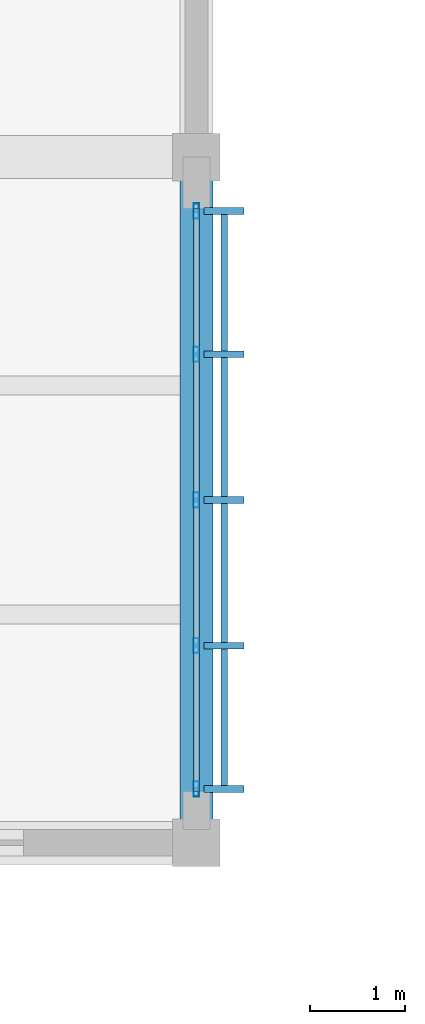
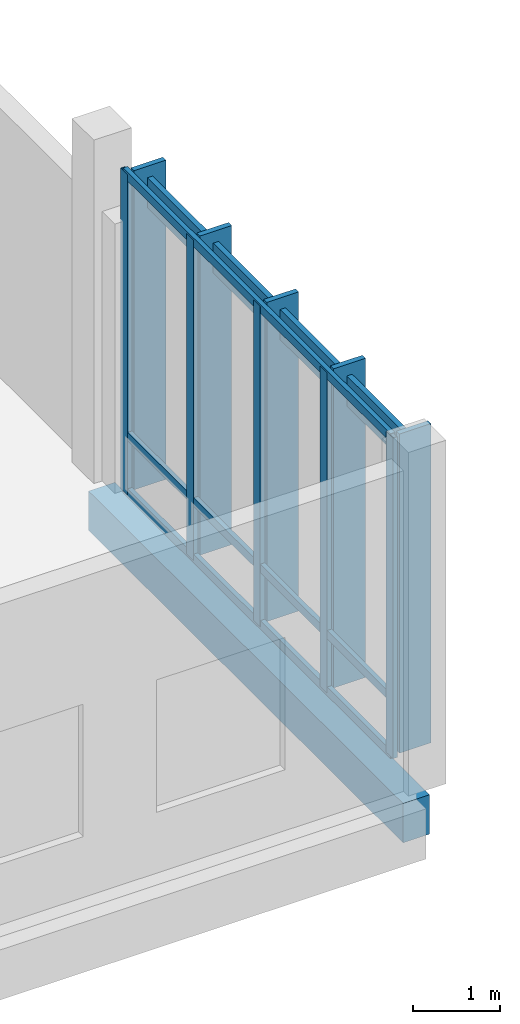
# One storey, part 71 of 177: 14 members, 1 beam, 1 element without a shape of its own.
"""IFC4 building model written with IfcOpenShell, lengths in metres."""

from ifc_helpers import new_model, si_unit, direction, frame, origin, origin_2d, place, context, subcontext, project, spatial, rectangle, hollow_rectangle, extrude, material, material_profile, profile_set, type_object, element, aggregate, save


model = new_model("IFC4")

# Units and contexts
model_context = context("Model", 3, precision=1e-05, world=origin(), true_north=direction((0.0, 1.0)))
body_context = subcontext(model_context, "Body", "Model", "MODEL_VIEW")
ifc_project = project(units=[si_unit("LENGTHUNIT", "METRE"), si_unit("AREAUNIT", "SQUARE_METRE"), si_unit("VOLUMEUNIT", "CUBIC_METRE"), si_unit("PLANEANGLEUNIT", "RADIAN"), si_unit("MASSUNIT", "GRAM", prefix="KILO")], contexts=[model_context])

# Site, building, storey
site_placement = place(None, origin())
site = spatial("IfcSite", under=ifc_project, at=site_placement, CompositionType="ELEMENT")
building_placement = place(site_placement, origin())
building = spatial("IfcBuilding", under=site, at=building_placement, Name="Chiffa Square Polytechnic", CompositionType="ELEMENT")
storey_placement = place(building_placement, frame((0.0, 0.0, 4.800048828125)))
storey = spatial("IfcBuildingStorey", under=building, at=storey_placement, Name="L01", CompositionType="ELEMENT", Elevation=4.800048828125)

# Beam
ifc_material_1 = material(Name="Concrete C35/45", Category="concrete")
ifc_material_profile_1 = material_profile(ifc_material_1, rectangle(XDim=0.35009765625, YDim=0.550048828125, at=origin_2d()), Name="RC 350x550")
ifc_profile_set_1 = profile_set([ifc_material_profile_1], Name="Concrete C35/45")
beam_type = type_object("IfcBeamType", Name="BM-RC-350X550", PredefinedType="BEAM", material=ifc_profile_set_1)
beam_placement = place(storey_placement, frame((48.0, 79.800048828125, -0.554931640625), z_axis=(0.0, 1.0, 0.0), x_axis=(-1.0, 0.0, 0.0)))
element("IfcBeam", 1, at=beam_placement, inside=storey, type_object=beam_type, Name="Primary floor girder BM-V6-L01-Y-0480-0798", PredefinedType="BEAM", context=body_context, shape_type="SweptSolid", body=[
    extrude(rectangle(XDim=0.35009765625, YDim=0.550048828125, at=origin_2d()), origin(), (0.0, 0.0, 1.0), 7.199951171875),
])

# Curtain wall, members
ifc_material_2 = material(Name="Aluminium EN AW-6060 T66 and glulam shading", Category="wood")
curtain_wall_type = type_object("IfcCurtainWallType", Name="CW-VERT-450X380", PredefinedType="USERDEFINED", material=ifc_material_2)
curtain_wall_placement = place(storey_placement, origin())
curtain_wall = element("IfcCurtainWall", 2, at=curtain_wall_placement, inside=storey, type_object=curtain_wall_type, Name="Curtain wall CW-V6-L01-258", ObjectType="CURTAIN WALL", PredefinedType="USERDEFINED")
ifc_material_3 = material(Name="Aluminium EN AW-6060 T66", Category="aluminium")
ifc_material_profile_2 = material_profile(ifc_material_3, hollow_rectangle(XDim=0.06005859375, YDim=0.159912109375, WallThickness=0.00390625, at=origin_2d()), Name="ALU 60x160x4")
ifc_profile_set_2 = profile_set([ifc_material_profile_2], Name="Aluminium EN AW-6060 T66")
member_type_1 = type_object("IfcMemberType", Name="CWM-ALU-65X150", PredefinedType="MULLION", material=ifc_profile_set_2)
member_1_placement = place(storey_placement, frame((48.0, 80.364990234375, 0.0), z_axis=(0.0, 0.0, 1.0), x_axis=(1.0, 0.0, 0.0)))
member_1 = element("IfcMember", 3, at=member_1_placement, type_object=member_type_1, Name="Curtain wall mullion CW-V6-L01-258-M00", PredefinedType="MULLION", context=body_context, shape_type="SweptSolid", body=[
    extrude(hollow_rectangle(XDim=0.06005859375, YDim=0.159912109375, WallThickness=0.00390625, at=origin_2d()), origin(), (0.0, 0.0, 1.0), 4.47998046875),
])
member_2_placement = place(storey_placement, frame((48.0, 81.8701171875, 0.0), z_axis=(0.0, 0.0, 1.0), x_axis=(1.0, 0.0, 0.0)))
member_2 = element("IfcMember", 4, at=member_2_placement, type_object=member_type_1, Name="Curtain wall mullion CW-V6-L01-258-M01", PredefinedType="MULLION", context=body_context, shape_type="SweptSolid", body=[
    extrude(hollow_rectangle(XDim=0.06005859375, YDim=0.159912109375, WallThickness=0.00390625, at=origin_2d()), origin(), (0.0, 0.0, 1.0), 4.47998046875),
])
member_3_placement = place(storey_placement, frame((48.0, 83.39990234375, 0.0), z_axis=(0.0, 0.0, 1.0), x_axis=(1.0, 0.0, 0.0)))
member_3 = element("IfcMember", 5, at=member_3_placement, type_object=member_type_1, Name="Curtain wall mullion CW-V6-L01-258-M02", PredefinedType="MULLION", context=body_context, shape_type="SweptSolid", body=[
    extrude(hollow_rectangle(XDim=0.06005859375, YDim=0.159912109375, WallThickness=0.00390625, at=origin_2d()), origin(), (0.0, 0.0, 1.0), 4.47998046875),
])
member_4_placement = place(storey_placement, frame((48.0, 84.929931640625, 0.0), z_axis=(0.0, 0.0, 1.0), x_axis=(1.0, 0.0, 0.0)))
member_4 = element("IfcMember", 6, at=member_4_placement, type_object=member_type_1, Name="Curtain wall mullion CW-V6-L01-258-M03", PredefinedType="MULLION", context=body_context, shape_type="SweptSolid", body=[
    extrude(hollow_rectangle(XDim=0.06005859375, YDim=0.159912109375, WallThickness=0.00390625, at=origin_2d()), origin(), (0.0, 0.0, 1.0), 4.47998046875),
])
member_5_placement = place(storey_placement, frame((48.0, 86.43505859375, 0.0), z_axis=(0.0, 0.0, 1.0), x_axis=(1.0, 0.0, 0.0)))
member_5 = element("IfcMember", 7, at=member_5_placement, type_object=member_type_1, Name="Curtain wall mullion CW-V6-L01-258-M04", PredefinedType="MULLION", context=body_context, shape_type="SweptSolid", body=[
    extrude(hollow_rectangle(XDim=0.06005859375, YDim=0.159912109375, WallThickness=0.00390625, at=origin_2d()), origin(), (0.0, 0.0, 1.0), 4.47998046875),
])
ifc_material_4 = material(Name="Glulam GL28h", Category="wood")
ifc_material_profile_3 = material_profile(ifc_material_4, rectangle(XDim=0.070068359375, YDim=0.419921875, at=origin_2d()), Name="GL28h 70x420")
ifc_profile_set_3 = profile_set([ifc_material_profile_3], Name="Glulam GL28h")
member_type_2 = type_object("IfcMemberType", Name="CWM-GL-70X420", PredefinedType="MULLION", material=ifc_profile_set_3)
member_6_placement = place(storey_placement, frame((48.2919921875, 80.364990234375, 0.010009765625), z_axis=(0.0, 0.0, 1.0), x_axis=(0.0, 1.0, 0.0)))
member_6 = element("IfcMember", 8, at=member_6_placement, type_object=member_type_2, Name="Exterior glulam solar fin CW-V6-L01-258-FN00", PredefinedType="MULLION", context=body_context, shape_type="SweptSolid", body=[
    extrude(rectangle(XDim=0.070068359375, YDim=0.419921875, at=origin_2d()), origin(), (0.0, 0.0, 1.0), 4.4599609375),
])
member_7_placement = place(storey_placement, frame((48.2919921875, 81.8701171875, 0.010009765625), z_axis=(0.0, 0.0, 1.0), x_axis=(0.0, 1.0, 0.0)))
member_7 = element("IfcMember", 9, at=member_7_placement, type_object=member_type_2, Name="Exterior glulam solar fin CW-V6-L01-258-FN01", PredefinedType="MULLION", context=body_context, shape_type="SweptSolid", body=[
    extrude(rectangle(XDim=0.070068359375, YDim=0.419921875, at=origin_2d()), origin(), (0.0, 0.0, 1.0), 4.4599609375),
])
member_8_placement = place(storey_placement, frame((48.2919921875, 83.39990234375, 0.010009765625), z_axis=(0.0, 0.0, 1.0), x_axis=(0.0, 1.0, 0.0)))
member_8 = element("IfcMember", 10, at=member_8_placement, type_object=member_type_2, Name="Exterior glulam solar fin CW-V6-L01-258-FN02", PredefinedType="MULLION", context=body_context, shape_type="SweptSolid", body=[
    extrude(rectangle(XDim=0.070068359375, YDim=0.419921875, at=origin_2d()), origin(), (0.0, 0.0, 1.0), 4.4599609375),
])
member_9_placement = place(storey_placement, frame((48.2919921875, 84.929931640625, 0.010009765625), z_axis=(0.0, 0.0, 1.0), x_axis=(0.0, 1.0, 0.0)))
member_9 = element("IfcMember", 11, at=member_9_placement, type_object=member_type_2, Name="Exterior glulam solar fin CW-V6-L01-258-FN03", PredefinedType="MULLION", context=body_context, shape_type="SweptSolid", body=[
    extrude(rectangle(XDim=0.070068359375, YDim=0.419921875, at=origin_2d()), origin(), (0.0, 0.0, 1.0), 4.4599609375),
])
member_10_placement = place(storey_placement, frame((48.2919921875, 86.43505859375, 0.010009765625), z_axis=(0.0, 0.0, 1.0), x_axis=(0.0, 1.0, 0.0)))
member_10 = element("IfcMember", 12, at=member_10_placement, type_object=member_type_2, Name="Exterior glulam solar fin CW-V6-L01-258-FN04", PredefinedType="MULLION", context=body_context, shape_type="SweptSolid", body=[
    extrude(rectangle(XDim=0.070068359375, YDim=0.419921875, at=origin_2d()), origin(), (0.0, 0.0, 1.0), 4.4599609375),
])
ifc_material_profile_4 = material_profile(ifc_material_3, hollow_rectangle(XDim=0.06005859375, YDim=0.1201171875, WallThickness=0.00390625, at=origin_2d()), Name="ALU 60x120x4")
ifc_profile_set_4 = profile_set([ifc_material_profile_4], Name="Aluminium EN AW-6060 T66")
member_type_3 = type_object("IfcMemberType", Name="CWT-ALU-65X120", PredefinedType="USERDEFINED", material=ifc_profile_set_4)
member_11_placement = place(storey_placement, frame((48.0, 80.337890625, 0.030029296875), z_axis=(0.0, 1.0, 0.0), x_axis=(-1.0, 0.0, 0.0)))
member_11 = element("IfcMember", 13, at=member_11_placement, type_object=member_type_3, Name="Curtain wall transom CW-V6-L01-258-T01", ObjectType="TRANSOM", PredefinedType="USERDEFINED", context=body_context, shape_type="SweptSolid", body=[
    extrude(hollow_rectangle(XDim=0.06005859375, YDim=0.1201171875, WallThickness=0.00390625, at=origin_2d()), origin(), (0.0, 0.0, 1.0), 6.1240234375),
])
member_12_placement = place(storey_placement, frame((48.0, 80.337890625, 0.820068359375), z_axis=(0.0, 1.0, 0.0), x_axis=(-1.0, 0.0, 0.0)))
member_12 = element("IfcMember", 14, at=member_12_placement, type_object=member_type_3, Name="Curtain wall transom CW-V6-L01-258-T02", ObjectType="TRANSOM", PredefinedType="USERDEFINED", context=body_context, shape_type="SweptSolid", body=[
    extrude(hollow_rectangle(XDim=0.06005859375, YDim=0.1201171875, WallThickness=0.00390625, at=origin_2d()), origin(), (0.0, 0.0, 1.0), 6.1240234375),
])
member_13_placement = place(storey_placement, frame((48.0, 80.337890625, 4.449951171875), z_axis=(0.0, 1.0, 0.0), x_axis=(-1.0, 0.0, 0.0)))
member_13 = element("IfcMember", 15, at=member_13_placement, type_object=member_type_3, Name="Curtain wall transom CW-V6-L01-258-T03", ObjectType="TRANSOM", PredefinedType="USERDEFINED", context=body_context, shape_type="SweptSolid", body=[
    extrude(hollow_rectangle(XDim=0.06005859375, YDim=0.1201171875, WallThickness=0.00390625, at=origin_2d()), origin(), (0.0, 0.0, 1.0), 6.1240234375),
])
ifc_material_profile_5 = material_profile(ifc_material_4, rectangle(XDim=0.070068359375, YDim=0.419921875, at=origin_2d()), Name="GL28h 70x420")
ifc_profile_set_5 = profile_set([ifc_material_profile_5], Name="Glulam GL28h")
member_type_4 = type_object("IfcMemberType", Name="CWT-GL-70X420", PredefinedType="USERDEFINED", material=ifc_profile_set_5)
member_14_placement = place(storey_placement, frame((48.2919921875, 80.364990234375, 4.099853515625), z_axis=(0.0, 1.0, 0.0), x_axis=(-1.0, 0.0, 0.0)))
member_14 = element("IfcMember", 16, at=member_14_placement, type_object=member_type_4, Name="Exterior glulam brise-soleil CW-V6-L01-258-BS01", ObjectType="TRANSOM", PredefinedType="USERDEFINED", context=body_context, shape_type="SweptSolid", body=[
    extrude(rectangle(XDim=0.070068359375, YDim=0.419921875, at=origin_2d()), origin(), (0.0, 0.0, 1.0), 6.070068359375),
])
aggregate(curtain_wall, [member_1, member_6, member_2, member_7, member_3, member_8, member_4, member_9, member_5, member_10, member_11, member_12, member_13, member_14])

save(model, "model.ifc")
